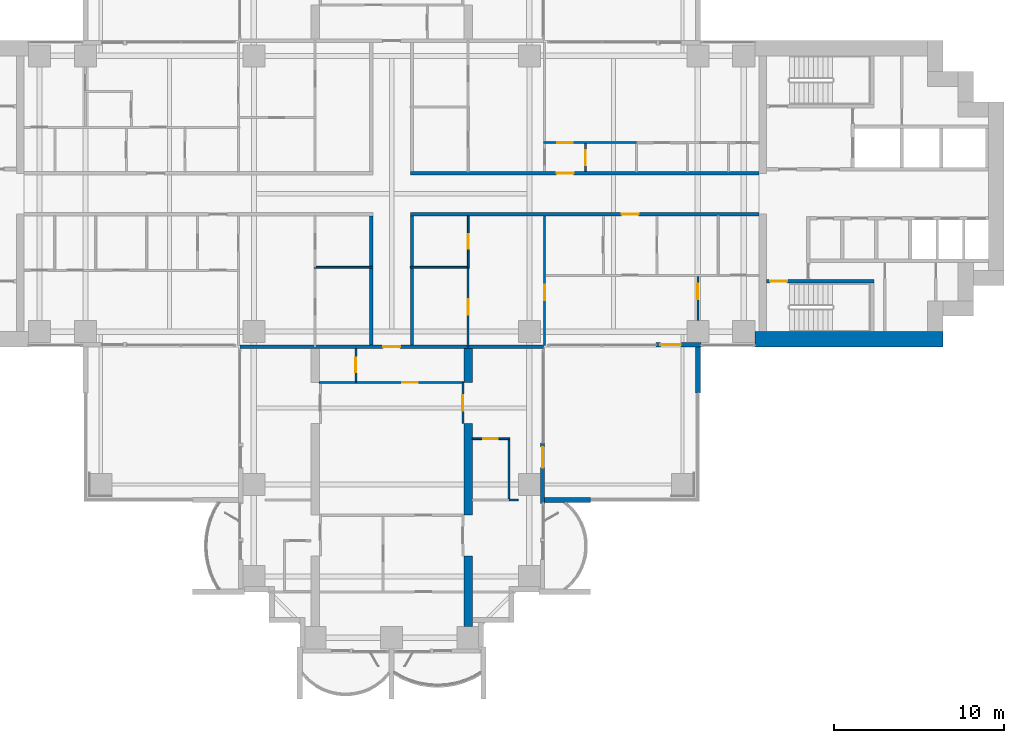
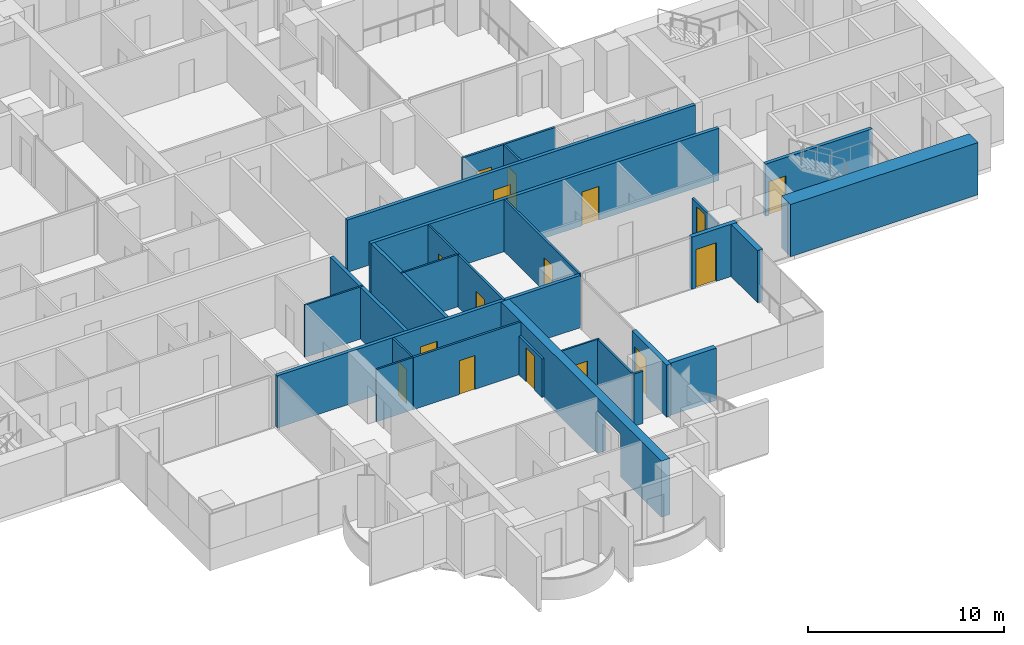
# One storey, part 12 of 21: 27 walls, 16 doors, 16 openings.
"""IFC4 building model written with IfcOpenShell, lengths in metres."""

from ifc_helpers import new_model, si_unit, direction, frame, frame_2d, origin, place, context, subcontext, project, spatial, polyline, rectangle, outline, extrude, material, layer, layer_set, material_profile, profile_set, type_object, element, fill, save


model = new_model("IFC4")

# Units and contexts
model_context = context("Model", 3, precision=1e-05, world=origin(), true_north=direction((0.0, 1.0)))
body_context = subcontext(model_context, "Body", "Model", "MODEL_VIEW")
ifc_project = project(units=[si_unit("LENGTHUNIT", "METRE"), si_unit("AREAUNIT", "SQUARE_METRE"), si_unit("VOLUMEUNIT", "CUBIC_METRE"), si_unit("PLANEANGLEUNIT", "RADIAN"), si_unit("MASSUNIT", "GRAM", prefix="KILO")], contexts=[model_context])

# Site, building, storey
site_placement = place(None, origin())
site = spatial("IfcSite", under=ifc_project, at=site_placement, CompositionType="ELEMENT")
building_placement = place(site_placement, origin())
building = spatial("IfcBuilding", under=site, at=building_placement, Name="Perihelion Cross Residences", CompositionType="ELEMENT")
storey_placement = place(building_placement, frame((0.0, 0.0, 40.0)))
storey = spatial("IfcBuildingStorey", under=building, at=storey_placement, Name="L06", CompositionType="ELEMENT", Elevation=40.0)

# Wall, opening, door
ifc_material_1 = material(Name="Plasterboard partition")
ifc_layer_1 = layer(ifc_material_1, 0.199951171875)
ifc_layer_set_1 = layer_set([ifc_layer_1], Name="Apartment separation wall 200")
wall_type_1 = type_object("IfcWallType", Name="Apartment separation wall 200", PredefinedType="PARTITIONING", material=ifc_layer_set_1)
wall_1_placement = place(storey_placement, frame((1.10009765625, 1.199951171875, 0.0), z_axis=(0.0, 0.0, 1.0), x_axis=(1.0, 0.0, 0.0)))
wall_1 = element("IfcWall", 1, at=wall_1_placement, inside=storey, type_object=wall_type_1, Name="Partition L06 W001", PredefinedType="PARTITIONING", context=body_context, shape_type="SweptSolid", body=[
    extrude(rectangle(XDim=20.5, YDim=0.199951171875, at=frame_2d((10.25, 0.0))), origin(), (0.0, 0.0, 1.0), 3.25),
])
opening_1_placement = place(wall_1_placement, frame((8.60009765625, 0.0, 0.0)))
opening_1 = element("IfcOpeningElement", 2, at=opening_1_placement, cuts=wall_1, Name="Opening L06.A50", PredefinedType="OPENING", context=body_context, shape_type="SweptSolid", body=[
    extrude(rectangle(XDim=1.0, YDim=2.10009765625, at=frame_2d((0.5, 1.050048828125))), frame((0.0, 0.10986328125, 0.0), z_axis=(0.0, -1.0, 0.0), x_axis=(1.0, 0.0, 0.0)), (0.0, 0.0, 1.0), 0.219970703125),
])
ifc_material_2 = material(Name="Timber door leaf", Category="wood")
door_type_1 = type_object("IfcDoorType", Name="Flat entrance door 1000 x 2100", OperationType="SINGLE_SWING_LEFT", PredefinedType="DOOR", material=ifc_material_2)
door_1_placement = place(opening_1_placement, origin())
door_1 = element("IfcDoor", 3, at=door_1_placement, inside=storey, type_object=door_type_1, Name="Door L06.A50", OperationType="SINGLE_SWING_RIGHT", OverallHeight=2.10009765625, OverallWidth=1.0, PredefinedType="DOOR", context=body_context, shape_type="SweptSolid", body=[
    extrude(rectangle(XDim=1.0, YDim=2.10009765625, at=frame_2d((0.5, 1.050048828125))), frame((0.0, 0.02490234375, 0.0), z_axis=(0.0, -1.0, 0.0), x_axis=(1.0, 0.0, 0.0)), (0.0, 0.0, 1.0), 0.050048828125),
])
fill(opening_1, door_1)

wall_2_placement = place(storey_placement, frame((21.60009765625, -1.199951171875, 0.0), z_axis=(0.0, 0.0, 1.0), x_axis=(-1.0, 0.0, 0.0)))
wall_2 = element("IfcWall", 4, at=wall_2_placement, inside=storey, type_object=wall_type_1, Name="Partition L06 W003", PredefinedType="PARTITIONING", context=body_context, shape_type="SweptSolid", body=[
    extrude(rectangle(XDim=20.5, YDim=0.199951171875, at=frame_2d((10.25, 0.0))), origin(), (0.0, 0.0, 1.0), 3.25),
])
opening_2_placement = place(wall_2_placement, frame((7.074951171875, 0.0, 0.0)))
opening_2 = element("IfcOpeningElement", 5, at=opening_2_placement, cuts=wall_2, Name="Opening L06.A51", PredefinedType="OPENING", context=body_context, shape_type="SweptSolid", body=[
    extrude(rectangle(XDim=1.0, YDim=2.10009765625, at=frame_2d((0.5, 1.050048828125))), frame((0.0, 0.10986328125, 0.0), z_axis=(0.0, -1.0, 0.0), x_axis=(1.0, 0.0, 0.0)), (0.0, 0.0, 1.0), 0.219970703125),
])
door_2_placement = place(opening_2_placement, origin())
door_2 = element("IfcDoor", 6, at=door_2_placement, inside=storey, type_object=door_type_1, Name="Door L06.A51", OperationType="SINGLE_SWING_LEFT", OverallHeight=2.10009765625, OverallWidth=1.0, PredefinedType="DOOR", context=body_context, shape_type="SweptSolid", body=[
    extrude(rectangle(XDim=1.0, YDim=2.10009765625, at=frame_2d((0.5, 1.050048828125))), frame((0.0, 0.02490234375, 0.0), z_axis=(0.0, -1.0, 0.0), x_axis=(1.0, 0.0, 0.0)), (0.0, 0.0, 1.0), 0.050048828125),
])
fill(opening_2, door_2)

# Walls
for number, where, z_axis, x_axis, name in (
    (7, (1.199951171875, -1.300048828125, 0.0), (0.0, 0.0, 1.0), (0.0, -1.0, 0.0), "Partition L06 W004"),
    (8, (-1.199951171875, -8.89990234375, 0.0), (0.0, 0.0, 1.0), (0.0, 1.0, 0.0), "Partition L06 W008"),
):
    element("IfcWall", number, at=place(storey_placement, frame(where, z_axis=z_axis, x_axis=x_axis)), inside=storey, type_object=wall_type_1, Name=name, PredefinedType="PARTITIONING", context=body_context, shape_type="SweptSolid", body=[
        extrude(rectangle(XDim=7.599853515625, YDim=0.199951171875, at=frame_2d((3.7998046875, 0.0))), origin(), (0.0, 0.0, 1.0), 3.25),
    ])

# Wall, opening, door
wall_3_placement = place(storey_placement, frame((8.919921875, -9.0, 0.0), z_axis=(0.0, 0.0, 1.0), x_axis=(-1.0, 0.0, 0.0)))
wall_3 = element("IfcWall", 9, at=wall_3_placement, inside=storey, type_object=wall_type_1, Name="Partition L06 W010", PredefinedType="PARTITIONING", context=body_context, shape_type="SweptSolid", body=[
    extrude(rectangle(XDim=17.83984375, YDim=0.199951171875, at=frame_2d((8.919921875, 0.0))), origin(), (0.0, 0.0, 1.0), 3.25),
])
opening_3_placement = place(wall_3_placement, frame((8.419921875, 0.0, 0.0)))
opening_3 = element("IfcOpeningElement", 10, at=opening_3_placement, cuts=wall_3, Name="Opening L06.A42", PredefinedType="OPENING", context=body_context, shape_type="SweptSolid", body=[
    extrude(rectangle(XDim=1.0, YDim=2.10009765625, at=frame_2d((0.5, 1.050048828125))), frame((0.0, 0.10986328125, 0.0), z_axis=(0.0, -1.0, 0.0), x_axis=(1.0, 0.0, 0.0)), (0.0, 0.0, 1.0), 0.219970703125),
])
door_3_placement = place(opening_3_placement, origin())
door_3 = element("IfcDoor", 11, at=door_3_placement, inside=storey, type_object=door_type_1, Name="Door L06.A42", OperationType="SINGLE_SWING_RIGHT", OverallHeight=2.10009765625, OverallWidth=1.0, PredefinedType="DOOR", context=body_context, shape_type="SweptSolid", body=[
    extrude(rectangle(XDim=1.0, YDim=2.10009765625, at=frame_2d((0.5, 1.050048828125))), frame((0.0, 0.02490234375, 0.0), z_axis=(0.0, -1.0, 0.0), x_axis=(1.0, 0.0, 0.0)), (0.0, 0.0, 1.0), 0.050048828125),
])
fill(opening_3, door_3)

ifc_material_3 = material(Name="Concrete C30/37, bronze-clad", Category="concrete")
ifc_layer_2 = layer(ifc_material_3, 0.25)
ifc_layer_set_2 = layer_set([ifc_layer_2], Name="Bronze-clad pier wall 250")
wall_type_2 = type_object("IfcWallType", Name="Bronze-clad pier wall 250", PredefinedType="SOLIDWALL", material=ifc_layer_set_2)
wall_4_placement = place(storey_placement, frame((8.875, -18.199951171875, 0.0), z_axis=(0.0, 0.0, 1.0), x_axis=(0.0, 1.0, 0.0)))
wall_4 = element("IfcWall", 12, at=wall_4_placement, inside=storey, type_object=wall_type_2, Name="Wall FW1 L06 south side east bay 2 pier", PredefinedType="SOLIDWALL", context=body_context, shape_type="SweptSolid", body=[
    extrude(rectangle(XDim=3.550048828125, YDim=0.25, at=frame_2d((1.77490234375, 0.0))), origin(), (0.0, 0.0, 1.0), 3.25),
])
opening_4_placement = place(wall_4_placement, frame((2.10009765625, 0.0, 0.0)))
opening_4 = element("IfcOpeningElement", 13, at=opening_4_placement, cuts=wall_4, Name="Opening L06.E15", PredefinedType="OPENING", context=body_context, shape_type="SweptSolid", body=[
    extrude(rectangle(XDim=1.199951171875, YDim=2.39990234375, at=frame_2d((0.60009765625, 1.199951171875))), frame((0.0, 0.135009765625, 0.0), z_axis=(0.0, -1.0, 0.0), x_axis=(1.0, 0.0, 0.0)), (0.0, 0.0, 1.0), 0.27001953125),
])
ifc_material_4 = material(Name="Bronze anodised aluminium, glazed", Category="aluminium")
door_type_2 = type_object("IfcDoorType", Name="Balcony door 1200 x 2400", OperationType="NOTDEFINED", PredefinedType="DOOR", material=ifc_material_4)
door_4_placement = place(opening_4_placement, origin())
door_4 = element("IfcDoor", 14, at=door_4_placement, inside=storey, type_object=door_type_2, Name="Door L06.E15 south side east bay 2", OperationType="SINGLE_SWING_RIGHT", OverallHeight=2.39990234375, OverallWidth=1.199951171875, PredefinedType="DOOR", context=body_context, shape_type="SweptSolid", body=[
    extrude(rectangle(XDim=1.199951171875, YDim=2.39990234375, at=frame_2d((0.60009765625, 1.199951171875))), frame((0.0, 0.02490234375, 0.0), z_axis=(0.0, -1.0, 0.0), x_axis=(1.0, 0.0, 0.0)), (0.0, 0.0, 1.0), 0.050048828125),
])
fill(opening_4, door_4)

wall_5_placement = place(storey_placement, frame((15.550048828125, -8.875, 0.0), z_axis=(0.0, 0.0, 1.0), x_axis=(1.0, 0.0, 0.0)))
wall_5 = element("IfcWall", 15, at=wall_5_placement, inside=storey, type_object=wall_type_2, Name="Wall FW1 L06 east side south bay 1 pier", PredefinedType="SOLIDWALL", context=body_context, shape_type="SweptSolid", body=[
    extrude(rectangle(XDim=2.64990234375, YDim=0.25, at=frame_2d((1.324951171875, 0.0))), origin(), (0.0, 0.0, 1.0), 3.25),
])
opening_5_placement = place(wall_5_placement, frame((0.25, 0.0, 0.0)))
opening_5 = element("IfcOpeningElement", 16, at=opening_5_placement, cuts=wall_5, Name="Opening L06.E16", PredefinedType="OPENING", context=body_context, shape_type="SweptSolid", body=[
    extrude(rectangle(XDim=1.199951171875, YDim=2.39990234375, at=frame_2d((0.60009765625, 1.199951171875))), frame((0.0, 0.135009765625, 0.0), z_axis=(0.0, -1.0, 0.0), x_axis=(1.0, 0.0, 0.0)), (0.0, 0.0, 1.0), 0.27001953125),
])
door_5_placement = place(opening_5_placement, origin())
door_5 = element("IfcDoor", 17, at=door_5_placement, inside=storey, type_object=door_type_2, Name="Door L06.E16 east side south bay 1", OperationType="SINGLE_SWING_LEFT", OverallHeight=2.39990234375, OverallWidth=1.199951171875, PredefinedType="DOOR", context=body_context, shape_type="SweptSolid", body=[
    extrude(rectangle(XDim=1.199951171875, YDim=2.39990234375, at=frame_2d((0.60009765625, 1.199951171875))), frame((0.0, 0.02490234375, 0.0), z_axis=(0.0, -1.0, 0.0), x_axis=(1.0, 0.0, 0.0)), (0.0, 0.0, 1.0), 0.050048828125),
])
fill(opening_5, door_5)

# Wall
ifc_material_5 = material(Name="Concrete C60/75", Category="concrete")
ifc_layer_3 = layer(ifc_material_5, 0.89990234375)
ifc_layer_set_3 = layer_set([ifc_layer_3], Name="Core wall, outer 900")
wall_type_3 = type_object("IfcWallType", Name="Core wall, outer 900", PredefinedType="SHEAR", material=ifc_layer_set_3)
wall_6_placement = place(storey_placement, frame((21.35009765625, -8.550048828125, 0.0), z_axis=(0.0, 0.0, 1.0), x_axis=(1.0, 0.0, 0.0)))
element("IfcWall", 18, at=wall_6_placement, inside=storey, type_object=wall_type_3, Name="East core core wall, outer", PredefinedType="SHEAR", context=body_context, shape_type="SweptSolid", body=[
    extrude(rectangle(XDim=11.0498046875, YDim=0.89990234375, at=frame_2d((5.52490234375, 0.0))), origin(), (0.0, 0.0, 1.0), 3.25),
])

# Wall, opening, door
ifc_material_6 = material(Name="Plasterboard partition")
ifc_layer_4 = layer(ifc_material_6, 0.1201171875)
ifc_layer_set_4 = layer_set([ifc_layer_4], Name="Infill panel 120")
wall_type_4 = type_object("IfcWallType", Name="Infill panel 120", PredefinedType="PARTITIONING", material=ifc_layer_set_4)
wall_7_placement = place(storey_placement, frame((4.18994140625, -11.10009765625, 0.0), z_axis=(0.0, 0.0, 1.0), x_axis=(0.0, -1.0, 0.0)))
wall_7 = element("IfcWall", 19, at=wall_7_placement, inside=storey, type_object=wall_type_4, Name="Partition L06 WI05", PredefinedType="PARTITIONING", context=body_context, shape_type="SweptSolid", body=[
    extrude(rectangle(XDim=2.39990234375, YDim=0.1201171875, at=frame_2d((1.199951171875, 0.0))), origin(), (0.0, 0.0, 1.0), 2.39990234375),
])
opening_6_placement = place(wall_7_placement, frame((0.75, 0.0, 0.0)))
opening_6 = element("IfcOpeningElement", 20, at=opening_6_placement, cuts=wall_7, Name="Opening L06.A58", PredefinedType="OPENING", context=body_context, shape_type="SweptSolid", body=[
    extrude(rectangle(XDim=0.89990234375, YDim=2.10009765625, at=frame_2d((0.449951171875, 1.050048828125))), frame((0.0, 0.070068359375, 0.0), z_axis=(0.0, -1.0, 0.0), x_axis=(1.0, 0.0, 0.0)), (0.0, 0.0, 1.0), 0.14013671875),
])
ifc_material_7 = material(Name="Timber door leaf", Category="wood")
door_type_3 = type_object("IfcDoorType", Name="Interior room door 900 x 2100", OperationType="SINGLE_SWING_LEFT", PredefinedType="DOOR", material=ifc_material_7)
door_6_placement = place(opening_6_placement, origin())
door_6 = element("IfcDoor", 21, at=door_6_placement, inside=storey, type_object=door_type_3, Name="Door L06.A58", OperationType="SINGLE_SWING_LEFT", OverallHeight=2.10009765625, OverallWidth=0.89990234375, PredefinedType="DOOR", context=body_context, shape_type="SweptSolid", body=[
    extrude(rectangle(XDim=0.89990234375, YDim=2.10009765625, at=frame_2d((0.449951171875, 1.050048828125))), frame((0.0, 0.02490234375, 0.0), z_axis=(0.0, -1.0, 0.0), x_axis=(1.0, 0.0, 0.0)), (0.0, 0.0, 1.0), 0.050048828125),
])
fill(opening_6, door_6)

ifc_material_8 = material(Name="Plasterboard partition")
ifc_layer_5 = layer(ifc_material_8, 0.1201171875)
ifc_layer_set_5 = layer_set([ifc_layer_5], Name="Partition wall 120")
wall_type_5 = type_object("IfcWallType", Name="Partition wall 120", PredefinedType="PARTITIONING", material=ifc_layer_set_5)
wall_8_placement = place(storey_placement, frame((11.39990234375, 2.93994140625, 0.0), z_axis=(0.0, 0.0, 1.0), x_axis=(0.0, -1.0, 0.0)))
wall_8 = element("IfcWall", 22, at=wall_8_placement, inside=storey, type_object=wall_type_5, Name="Partition L06 W011", PredefinedType="PARTITIONING", context=body_context, shape_type="SweptSolid", body=[
    extrude(rectangle(XDim=1.639892578125, YDim=0.1201171875, at=frame_2d((0.81982421875, 0.0))), origin(), (0.0, 0.0, 1.0), 3.25),
])
opening_7_placement = place(wall_8_placement, frame((0.3701171875, 0.0, 0.0)))
opening_7 = element("IfcOpeningElement", 23, at=opening_7_placement, cuts=wall_8, Name="Opening L06.A02", PredefinedType="OPENING", context=body_context, shape_type="SweptSolid", body=[
    extrude(rectangle(XDim=0.89990234375, YDim=2.10009765625, at=frame_2d((0.449951171875, 1.050048828125))), frame((0.0, 0.070068359375, 0.0), z_axis=(0.0, -1.0, 0.0), x_axis=(1.0, 0.0, 0.0)), (0.0, 0.0, 1.0), 0.14013671875),
])
door_7_placement = place(opening_7_placement, origin())
door_7 = element("IfcDoor", 24, at=door_7_placement, inside=storey, type_object=door_type_3, Name="Door L06.A02", OperationType="SINGLE_SWING_RIGHT", OverallHeight=2.10009765625, OverallWidth=0.89990234375, PredefinedType="DOOR", context=body_context, shape_type="SweptSolid", body=[
    extrude(rectangle(XDim=0.89990234375, YDim=2.10009765625, at=frame_2d((0.449951171875, 1.050048828125))), frame((0.0, 0.02490234375, 0.0), z_axis=(0.0, -1.0, 0.0), x_axis=(1.0, 0.0, 0.0)), (0.0, 0.0, 1.0), 0.050048828125),
])
fill(opening_7, door_7)

wall_9_placement = place(storey_placement, frame((8.93994140625, 3.0, 0.0), z_axis=(0.0, 0.0, 1.0), x_axis=(1.0, 0.0, 0.0)))
wall_9 = element("IfcWall", 25, at=wall_9_placement, inside=storey, type_object=wall_type_5, Name="Partition L06 W012", PredefinedType="PARTITIONING", context=body_context, shape_type="SweptSolid", body=[
    extrude(rectangle(XDim=5.4599609375, YDim=0.1201171875, at=frame_2d((2.72998046875, 0.0))), origin(), (0.0, 0.0, 1.0), 3.25),
])
opening_8_placement = place(wall_9_placement, frame((0.81005859375, 0.0, 0.0)))
opening_8 = element("IfcOpeningElement", 26, at=opening_8_placement, cuts=wall_9, Name="Opening L06.A07", PredefinedType="OPENING", context=body_context, shape_type="SweptSolid", body=[
    extrude(rectangle(XDim=0.89990234375, YDim=2.10009765625, at=frame_2d((0.449951171875, 1.050048828125))), frame((0.0, 0.070068359375, 0.0), z_axis=(0.0, -1.0, 0.0), x_axis=(1.0, 0.0, 0.0)), (0.0, 0.0, 1.0), 0.14013671875),
])
door_8_placement = place(opening_8_placement, origin())
door_8 = element("IfcDoor", 27, at=door_8_placement, inside=storey, type_object=door_type_3, Name="Door L06.A07", OperationType="SINGLE_SWING_RIGHT", OverallHeight=2.10009765625, OverallWidth=0.89990234375, PredefinedType="DOOR", context=body_context, shape_type="SweptSolid", body=[
    extrude(rectangle(XDim=0.89990234375, YDim=2.10009765625, at=frame_2d((0.449951171875, 1.050048828125))), frame((0.0, 0.02490234375, 0.0), z_axis=(0.0, -1.0, 0.0), x_axis=(1.0, 0.0, 0.0)), (0.0, 0.0, 1.0), 0.050048828125),
])
fill(opening_8, door_8)

wall_10_placement = place(storey_placement, frame((9.0, -8.919921875, 0.0), z_axis=(0.0, 0.0, 1.0), x_axis=(0.0, 1.0, 0.0)))
wall_10 = element("IfcWall", 28, at=wall_10_placement, inside=storey, type_object=wall_type_5, Name="Partition L06 W025", PredefinedType="PARTITIONING", context=body_context, shape_type="SweptSolid", body=[
    extrude(rectangle(XDim=7.619873046875, YDim=0.1201171875, at=frame_2d((3.81005859375, 0.0))), origin(), (0.0, 0.0, 1.0), 3.25),
])
opening_9_placement = place(wall_10_placement, frame((2.669921875, 0.0, 0.0)))
opening_9 = element("IfcOpeningElement", 29, at=opening_9_placement, cuts=wall_10, Name="Opening L06.A13", PredefinedType="OPENING", context=body_context, shape_type="SweptSolid", body=[
    extrude(rectangle(XDim=0.89990234375, YDim=2.10009765625, at=frame_2d((0.449951171875, 1.050048828125))), frame((0.0, 0.070068359375, 0.0), z_axis=(0.0, -1.0, 0.0), x_axis=(1.0, 0.0, 0.0)), (0.0, 0.0, 1.0), 0.14013671875),
])
door_9_placement = place(opening_9_placement, origin())
door_9 = element("IfcDoor", 30, at=door_9_placement, inside=storey, type_object=door_type_3, Name="Door L06.A13", OperationType="SINGLE_SWING_LEFT", OverallHeight=2.10009765625, OverallWidth=0.89990234375, PredefinedType="DOOR", context=body_context, shape_type="SweptSolid", body=[
    extrude(rectangle(XDim=0.89990234375, YDim=2.10009765625, at=frame_2d((0.449951171875, 1.050048828125))), frame((0.0, 0.02490234375, 0.0), z_axis=(0.0, -1.0, 0.0), x_axis=(1.0, 0.0, 0.0)), (0.0, 0.0, 1.0), 0.050048828125),
])
fill(opening_9, door_9)

wall_11_placement = place(storey_placement, frame((18.0, -4.860107421875, 0.0), z_axis=(0.0, 0.0, 1.0), x_axis=(0.0, -1.0, 0.0)))
wall_11 = element("IfcWall", 31, at=wall_11_placement, inside=storey, type_object=wall_type_5, Name="Partition L06 W029", PredefinedType="PARTITIONING", context=body_context, shape_type="SweptSolid", body=[
    extrude(rectangle(XDim=2.58984375, YDim=0.1201171875, at=frame_2d((1.294921875, 0.0))), origin(), (0.0, 0.0, 1.0), 2.345947265625),
])
opening_10_placement = place(wall_11_placement, frame((0.445068359375, 0.0, 0.0)))
opening_10 = element("IfcOpeningElement", 32, at=opening_10_placement, cuts=wall_11, Name="Opening L06.A09", PredefinedType="OPENING", context=body_context, shape_type="SweptSolid", body=[
    extrude(rectangle(XDim=0.89990234375, YDim=2.10009765625, at=frame_2d((0.449951171875, 1.050048828125))), frame((0.0, 0.070068359375, 0.0), z_axis=(0.0, -1.0, 0.0), x_axis=(1.0, 0.0, 0.0)), (0.0, 0.0, 1.0), 0.14013671875),
])
door_10_placement = place(opening_10_placement, origin())
door_10 = element("IfcDoor", 33, at=door_10_placement, inside=storey, type_object=door_type_3, Name="Door L06.A09", OperationType="SINGLE_SWING_LEFT", OverallHeight=2.10009765625, OverallWidth=0.89990234375, PredefinedType="DOOR", context=body_context, shape_type="SweptSolid", body=[
    extrude(rectangle(XDim=0.89990234375, YDim=2.10009765625, at=frame_2d((0.449951171875, 1.050048828125))), frame((0.0, 0.02490234375, 0.0), z_axis=(0.0, -1.0, 0.0), x_axis=(1.0, 0.0, 0.0)), (0.0, 0.0, 1.0), 0.050048828125),
])
fill(opening_10, door_10)

wall_12_placement = place(storey_placement, frame((4.5, -9.0, 0.0), z_axis=(0.0, 0.0, 1.0), x_axis=(0.0, 1.0, 0.0)))
wall_12 = element("IfcWall", 34, at=wall_12_placement, inside=storey, type_object=wall_type_5, Name="Partition L06 W031", PredefinedType="PARTITIONING", context=body_context, shape_type="SweptSolid", body=[
    extrude(rectangle(XDim=4.679931640625, YDim=0.1201171875, at=frame_2d((2.33984375, 0.0))), origin(), (0.0, 0.0, 1.0), 3.25),
])
opening_11_placement = place(wall_12_placement, frame((1.889892578125, 0.0, 0.0)))
opening_11 = element("IfcOpeningElement", 35, at=opening_11_placement, cuts=wall_12, Name="Opening L06.A14", PredefinedType="OPENING", context=body_context, shape_type="SweptSolid", body=[
    extrude(rectangle(XDim=0.89990234375, YDim=2.10009765625, at=frame_2d((0.449951171875, 1.050048828125))), frame((0.0, 0.070068359375, 0.0), z_axis=(0.0, -1.0, 0.0), x_axis=(1.0, 0.0, 0.0)), (0.0, 0.0, 1.0), 0.14013671875),
])
door_11_placement = place(opening_11_placement, origin())
door_11 = element("IfcDoor", 36, at=door_11_placement, inside=storey, type_object=door_type_3, Name="Door L06.A14", OperationType="SINGLE_SWING_LEFT", OverallHeight=2.10009765625, OverallWidth=0.89990234375, PredefinedType="DOOR", context=body_context, shape_type="SweptSolid", body=[
    extrude(rectangle(XDim=0.89990234375, YDim=2.10009765625, at=frame_2d((0.449951171875, 1.050048828125))), frame((0.0, 0.02490234375, 0.0), z_axis=(0.0, -1.0, 0.0), x_axis=(1.0, 0.0, 0.0)), (0.0, 0.0, 1.0), 0.050048828125),
])
fill(opening_11, door_11)

wall_13_placement = place(storey_placement, frame((4.25, -11.10009765625, 0.0), z_axis=(0.0, 0.0, 1.0), x_axis=(-1.0, 0.0, 0.0)))
wall_13 = element("IfcWall", 37, at=wall_13_placement, inside=storey, type_object=wall_type_5, Name="Partition L06 W073", PredefinedType="PARTITIONING", context=body_context, shape_type="SweptSolid", body=[
    extrude(rectangle(XDim=6.35009765625, YDim=0.1201171875, at=frame_2d((3.175048828125, 0.0))), origin(), (0.0, 0.0, 1.0), 3.25),
])
opening_12_placement = place(wall_13_placement, frame((2.72509765625, 0.0, 0.0)))
opening_12 = element("IfcOpeningElement", 38, at=opening_12_placement, cuts=wall_13, Name="Opening L06.A44", PredefinedType="OPENING", context=body_context, shape_type="SweptSolid", body=[
    extrude(rectangle(XDim=0.89990234375, YDim=2.10009765625, at=frame_2d((0.449951171875, 1.050048828125))), frame((0.0, 0.070068359375, 0.0), z_axis=(0.0, -1.0, 0.0), x_axis=(1.0, 0.0, 0.0)), (0.0, 0.0, 1.0), 0.14013671875),
])
door_12_placement = place(opening_12_placement, origin())
door_12 = element("IfcDoor", 39, at=door_12_placement, inside=storey, type_object=door_type_3, Name="Door L06.A44", OperationType="SINGLE_SWING_LEFT", OverallHeight=2.10009765625, OverallWidth=0.89990234375, PredefinedType="DOOR", context=body_context, shape_type="SweptSolid", body=[
    extrude(rectangle(XDim=0.89990234375, YDim=2.10009765625, at=frame_2d((0.449951171875, 1.050048828125))), frame((0.0, 0.02490234375, 0.0), z_axis=(0.0, -1.0, 0.0), x_axis=(1.0, 0.0, 0.0)), (0.0, 0.0, 1.0), 0.050048828125),
])
fill(opening_12, door_12)

# Walls
wall_14_placement = place(storey_placement, frame((7.449951171875, -18.0, 0.0), z_axis=(0.0, 0.0, 1.0), x_axis=(-1.0, 0.0, 0.0)))
element("IfcWall", 40, at=wall_14_placement, inside=storey, type_object=wall_type_5, Name="Partition L06 W080", PredefinedType="PARTITIONING", context=body_context, shape_type="SweptSolid", body=[
    extrude(rectangle(XDim=0.550048828125, YDim=0.1201171875, at=frame_2d((0.27490234375, 0.0))), origin(), (0.0, 0.0, 1.0), 3.25),
])
ifc_material_9 = material(Name="Precast concrete C50/60", Category="concrete")
ifc_layer_6 = layer(ifc_material_9, 0.300048828125)
ifc_layer_set_6 = layer_set([ifc_layer_6], Name="Precast concrete C50/60 blade wall 300")
wall_type_6 = type_object("IfcWallType", Name="Precast concrete C50/60 blade wall 300", PredefinedType="SOLIDWALL", material=ifc_layer_set_6)
wall_15_placement = place(storey_placement, frame((9.0, -18.0, 0.0), z_axis=(0.0, 0.0, 1.0), x_axis=(1.0, 0.0, 0.0)))
element("IfcWall", 41, at=wall_15_placement, inside=storey, type_object=wall_type_6, Name="Wall BL1 L06 no. 15", PredefinedType="SOLIDWALL", context=body_context, shape_type="SweptSolid", body=[
    extrude(rectangle(XDim=2.699951171875, YDim=0.300048828125, at=frame_2d((1.35009765625, 0.0))), origin(), (0.0, 0.0, 1.0), 3.25),
])
wall_16_placement = place(storey_placement, frame((18.0, -8.75, 0.0), z_axis=(0.0, 0.0, 1.0), x_axis=(0.0, -1.0, 0.0)))
element("IfcWall", 42, at=wall_16_placement, inside=storey, type_object=wall_type_6, Name="Wall BL1 L06 no. 11", PredefinedType="SOLIDWALL", context=body_context, shape_type="SweptSolid", body=[
    extrude(rectangle(XDim=2.949951171875, YDim=0.300048828125, at=frame_2d((1.47509765625, 0.0))), origin(), (0.0, 0.0, 1.0), 3.25),
])

# Wall, opening, door
ifc_material_10 = material(Name="Concrete C50/60", Category="concrete")
ifc_layer_7 = layer(ifc_material_10, 0.199951171875)
ifc_layer_set_7 = layer_set([ifc_layer_7], Name="Stair wall 200")
wall_type_7 = type_object("IfcWallType", Name="Stair wall 200", PredefinedType="SOLIDWALL", material=ifc_layer_set_7)
wall_17_placement = place(storey_placement, frame((22.050048828125, -5.14990234375, 0.0), z_axis=(0.0, 0.0, 1.0), x_axis=(1.0, 0.0, 0.0)))
wall_17 = element("IfcWall", 43, at=wall_17_placement, inside=storey, type_object=wall_type_7, Name="East core stair wall", PredefinedType="SOLIDWALL", context=body_context, shape_type="SweptSolid", body=[
    extrude(rectangle(XDim=6.300048828125, YDim=0.199951171875, at=frame_2d((3.14990234375, 0.0))), origin(), (0.0, 0.0, 1.0), 3.25),
])
opening_13_placement = place(wall_17_placement, frame((0.199951171875, 0.0, 0.0)))
opening_13 = element("IfcOpeningElement", 44, at=opening_13_placement, cuts=wall_17, Name="Opening L06.C05", PredefinedType="OPENING", context=body_context, shape_type="SweptSolid", body=[
    extrude(rectangle(XDim=1.0, YDim=2.10009765625, at=frame_2d((0.5, 1.050048828125))), frame((0.0, 0.10986328125, 0.0), z_axis=(0.0, -1.0, 0.0), x_axis=(1.0, 0.0, 0.0)), (0.0, 0.0, 1.0), 0.219970703125),
])
ifc_material_11 = material(Name="Steel, powder coated", Category="steel")
door_type_4 = type_object("IfcDoorType", Name="Stair door 1000", OperationType="SINGLE_SWING_LEFT", PredefinedType="DOOR", material=ifc_material_11)
door_13_placement = place(opening_13_placement, origin())
door_13 = element("IfcDoor", 45, at=door_13_placement, inside=storey, type_object=door_type_4, Name="East core stair door", OperationType="SINGLE_SWING_LEFT", OverallHeight=2.10009765625, OverallWidth=1.0, PredefinedType="DOOR", context=body_context, shape_type="SweptSolid", body=[
    extrude(rectangle(XDim=1.0, YDim=2.10009765625, at=frame_2d((0.5, 1.050048828125))), frame((0.0, 0.02490234375, 0.0), z_axis=(0.0, -1.0, 0.0), x_axis=(1.0, 0.0, 0.0)), (0.0, 0.0, 1.0), 0.050048828125),
])
fill(opening_13, door_13)

# Wall
ifc_material_12 = material(Name="Concrete C60/75", Category="concrete")
ifc_material_profile = material_profile(ifc_material_12, outline(polyline([(0.0, 0.0), (4.14990234375, 0.0), (4.14990234375, 2.64990234375), (6.550048828125, 2.64990234375), (6.550048828125, 0.0), (11.949951171875, 0.0), (11.949951171875, 2.64990234375), (14.35009765625, 2.64990234375), (14.35009765625, 0.0), (16.449951171875, 0.0), (16.449951171875, 3.5), (0.0, 3.5), (0.0, 0.0)])), Name="Tip spine wall")
ifc_profile_set = profile_set([ifc_material_profile], Name="Concrete C60/75")
wall_type_8 = type_object("IfcWallType", Name="Tip spine wall 500 with 2 door openings 16450 long 3500 high concrete C60/75 hand A", PredefinedType="SHEAR", material=ifc_profile_set)
wall_18_placement = place(storey_placement, frame((4.25, -25.449951171875, -0.25), z_axis=(1.0, 0.0, 0.0), x_axis=(0.0, 1.0, 0.0)))
element("IfcWall", 46, at=wall_18_placement, inside=storey, type_object=wall_type_8, Name="Shear wall SW24 L06 south east", PredefinedType="SHEAR", context=body_context, shape_type="SweptSolid", body=[
    extrude(outline(polyline([(0.0, 0.0), (4.14990234375, 0.0), (4.14990234375, 2.64990234375), (6.550048828125, 2.64990234375), (6.550048828125, 0.0), (11.949951171875, 0.0), (11.949951171875, 2.64990234375), (14.35009765625, 2.64990234375), (14.35009765625, 0.0), (16.449951171875, 0.0), (16.449951171875, 3.5), (0.0, 3.5), (0.0, 0.0)])), origin(), (0.0, 0.0, 1.0), 0.5),
])

# Wall, opening, door
ifc_material_13 = material(Name="Plasterboard partition")
ifc_layer_8 = layer(ifc_material_13, 0.10009765625)
ifc_layer_set_8 = layer_set([ifc_layer_8], Name="Wet room wall 100")
wall_type_9 = type_object("IfcWallType", Name="Wet room wall 100", PredefinedType="PARTITIONING", material=ifc_layer_set_8)
wall_19_placement = place(storey_placement, frame((4.5, -4.320068359375, 0.0), z_axis=(0.0, 0.0, 1.0), x_axis=(0.0, 1.0, 0.0)))
wall_19 = element("IfcWall", 47, at=wall_19_placement, inside=storey, type_object=wall_type_9, Name="Partition L06 W030", PredefinedType="PARTITIONING", context=body_context, shape_type="SweptSolid", body=[
    extrude(rectangle(XDim=3.02001953125, YDim=0.10009765625, at=frame_2d((1.510009765625, 0.0))), origin(), (0.0, 0.0, 1.0), 3.25),
])
opening_14_placement = place(wall_19_placement, frame((1.0849609375, 0.0, 0.0)))
opening_14 = element("IfcOpeningElement", 48, at=opening_14_placement, cuts=wall_19, Name="Opening L06.A15", PredefinedType="OPENING", context=body_context, shape_type="SweptSolid", body=[
    extrude(rectangle(XDim=0.85009765625, YDim=2.10009765625, at=frame_2d((0.425048828125, 1.050048828125))), frame((0.0, 0.06005859375, 0.0), z_axis=(0.0, -1.0, 0.0), x_axis=(1.0, 0.0, 0.0)), (0.0, 0.0, 1.0), 0.1201171875),
])
ifc_material_14 = material(Name="Timber door leaf", Category="wood")
door_type_5 = type_object("IfcDoorType", Name="Interior bathroom door 850 x 2100", OperationType="SINGLE_SWING_LEFT", PredefinedType="DOOR", material=ifc_material_14)
door_14_placement = place(opening_14_placement, origin())
door_14 = element("IfcDoor", 49, at=door_14_placement, inside=storey, type_object=door_type_5, Name="Door L06.A15", OperationType="SINGLE_SWING_LEFT", OverallHeight=2.10009765625, OverallWidth=0.85009765625, PredefinedType="DOOR", context=body_context, shape_type="SweptSolid", body=[
    extrude(rectangle(XDim=0.85009765625, YDim=2.10009765625, at=frame_2d((0.425048828125, 1.050048828125))), frame((0.0, 0.02490234375, 0.0), z_axis=(0.0, -1.0, 0.0), x_axis=(1.0, 0.0, 0.0)), (0.0, 0.0, 1.0), 0.050048828125),
])
fill(opening_14, door_14)

# Walls
for number, where, z_axis, x_axis, name in (
    (50, (4.56005859375, -4.320068359375, 0.0), (0.0, 0.0, 1.0), (-1.0, 0.0, 0.0), "Partition L06 W032"),
    (51, (-1.10009765625, -4.320068359375, 0.0), (0.0, 0.0, 1.0), (-1.0, 0.0, 0.0), "Partition L06 W056"),
):
    element("IfcWall", number, at=place(storey_placement, frame(where, z_axis=z_axis, x_axis=x_axis)), inside=storey, type_object=wall_type_9, Name=name, PredefinedType="PARTITIONING", context=body_context, shape_type="SweptSolid", body=[
        extrude(rectangle(XDim=3.4599609375, YDim=0.10009765625, at=frame_2d((1.72998046875, 0.0))), origin(), (0.0, 0.0, 1.0), 3.25),
    ])

# Wall, opening, door
wall_20_placement = place(storey_placement, frame((-2.10009765625, -11.0400390625, 0.0), z_axis=(0.0, 0.0, 1.0), x_axis=(0.0, 1.0, 0.0)))
wall_20 = element("IfcWall", 52, at=wall_20_placement, inside=storey, type_object=wall_type_9, Name="Partition L06 W072", PredefinedType="PARTITIONING", context=body_context, shape_type="SweptSolid", body=[
    extrude(rectangle(XDim=1.93994140625, YDim=0.10009765625, at=frame_2d((0.969970703125, 0.0))), origin(), (0.0, 0.0, 1.0), 3.25),
])
opening_15_placement = place(wall_20_placement, frame((0.544921875, 0.0, 0.0)))
opening_15 = element("IfcOpeningElement", 53, at=opening_15_placement, cuts=wall_20, Name="Opening L06.A43", PredefinedType="OPENING", context=body_context, shape_type="SweptSolid", body=[
    extrude(rectangle(XDim=0.85009765625, YDim=2.10009765625, at=frame_2d((0.425048828125, 1.050048828125))), frame((0.0, 0.06005859375, 0.0), z_axis=(0.0, -1.0, 0.0), x_axis=(1.0, 0.0, 0.0)), (0.0, 0.0, 1.0), 0.1201171875),
])
door_15_placement = place(opening_15_placement, origin())
door_15 = element("IfcDoor", 54, at=door_15_placement, inside=storey, type_object=door_type_5, Name="Door L06.A43", OperationType="SINGLE_SWING_LEFT", OverallHeight=2.10009765625, OverallWidth=0.85009765625, PredefinedType="DOOR", context=body_context, shape_type="SweptSolid", body=[
    extrude(rectangle(XDim=0.85009765625, YDim=2.10009765625, at=frame_2d((0.425048828125, 1.050048828125))), frame((0.0, 0.02490234375, 0.0), z_axis=(0.0, -1.0, 0.0), x_axis=(1.0, 0.0, 0.0)), (0.0, 0.0, 1.0), 0.050048828125),
])
fill(opening_15, door_15)

# Walls
wall_21_placement = place(storey_placement, frame((-2.10009765625, -11.10009765625, 0.0), z_axis=(0.0, 0.0, 1.0), x_axis=(-1.0, 0.0, 0.0)))
element("IfcWall", 55, at=wall_21_placement, inside=storey, type_object=wall_type_9, Name="Partition L06 W074", PredefinedType="PARTITIONING", context=body_context, shape_type="SweptSolid", body=[
    extrude(rectangle(XDim=2.14990234375, YDim=0.10009765625, at=frame_2d((1.074951171875, 0.0))), origin(), (0.0, 0.0, 1.0), 3.25),
])
wall_22_placement = place(storey_placement, frame((6.89990234375, -17.93994140625, 0.0), z_axis=(0.0, 0.0, 1.0), x_axis=(0.0, 1.0, 0.0)))
element("IfcWall", 56, at=wall_22_placement, inside=storey, type_object=wall_type_9, Name="Partition L06 W078", PredefinedType="PARTITIONING", context=body_context, shape_type="SweptSolid", body=[
    extrude(rectangle(XDim=3.489990234375, YDim=0.10009765625, at=frame_2d((1.7451171875, 0.0))), origin(), (0.0, 0.0, 1.0), 3.25),
])

# Wall, opening, door
wall_23_placement = place(storey_placement, frame((6.949951171875, -14.39990234375, 0.0), z_axis=(0.0, 0.0, 1.0), x_axis=(-1.0, 0.0, 0.0)))
wall_23 = element("IfcWall", 57, at=wall_23_placement, inside=storey, type_object=wall_type_9, Name="Partition L06 W079", PredefinedType="PARTITIONING", context=body_context, shape_type="SweptSolid", body=[
    extrude(rectangle(XDim=2.199951171875, YDim=0.10009765625, at=frame_2d((1.10009765625, 0.0))), origin(), (0.0, 0.0, 1.0), 3.25),
])
opening_16_placement = place(wall_23_placement, frame((0.699951171875, 0.0, 0.0)))
opening_16 = element("IfcOpeningElement", 58, at=opening_16_placement, cuts=wall_23, Name="Opening L06.A48", PredefinedType="OPENING", context=body_context, shape_type="SweptSolid", body=[
    extrude(rectangle(XDim=0.85009765625, YDim=2.10009765625, at=frame_2d((0.425048828125, 1.050048828125))), frame((0.0, 0.06005859375, 0.0), z_axis=(0.0, -1.0, 0.0), x_axis=(1.0, 0.0, 0.0)), (0.0, 0.0, 1.0), 0.1201171875),
])
door_16_placement = place(opening_16_placement, origin())
door_16 = element("IfcDoor", 59, at=door_16_placement, inside=storey, type_object=door_type_5, Name="Door L06.A48", OperationType="SINGLE_SWING_RIGHT", OverallHeight=2.10009765625, OverallWidth=0.85009765625, PredefinedType="DOOR", context=body_context, shape_type="SweptSolid", body=[
    extrude(rectangle(XDim=0.85009765625, YDim=2.10009765625, at=frame_2d((0.425048828125, 1.050048828125))), frame((0.0, 0.02490234375, 0.0), z_axis=(0.0, -1.0, 0.0), x_axis=(1.0, 0.0, 0.0)), (0.0, 0.0, 1.0), 0.050048828125),
])
fill(opening_16, door_16)

save(model, "model.ifc")
